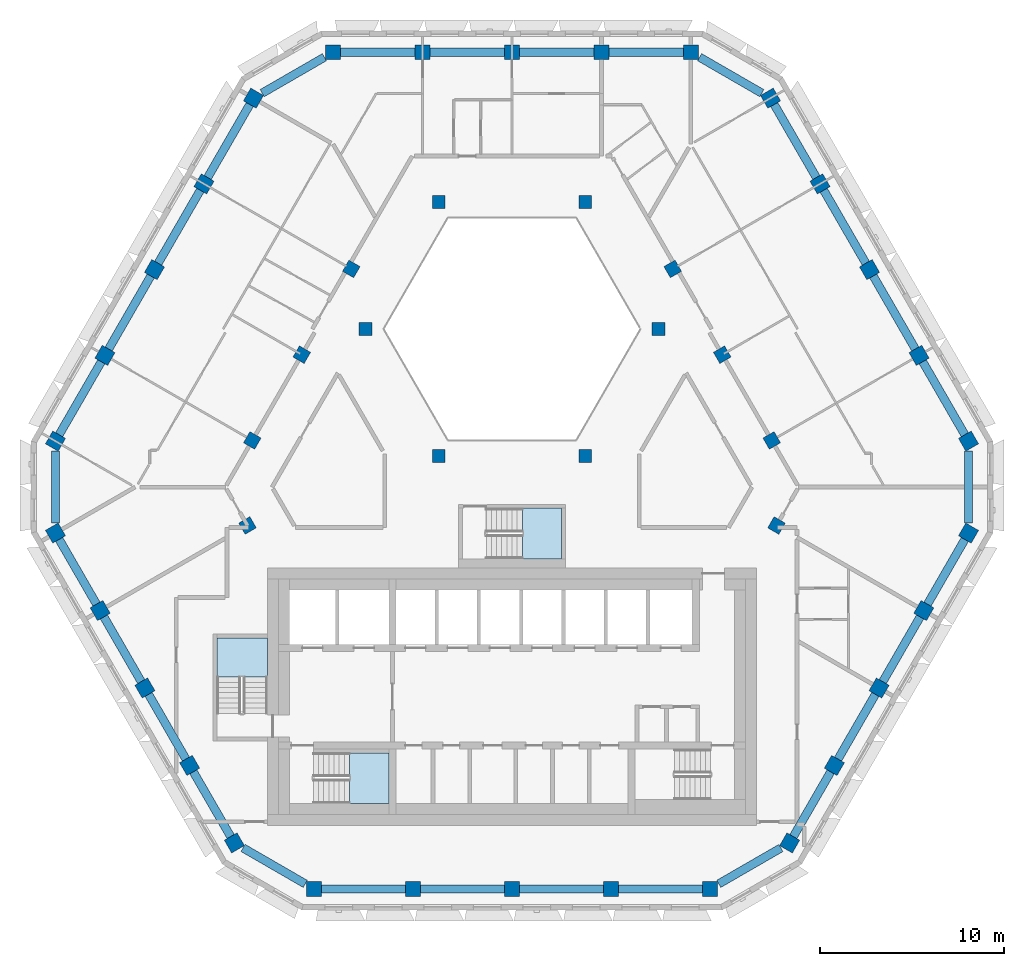
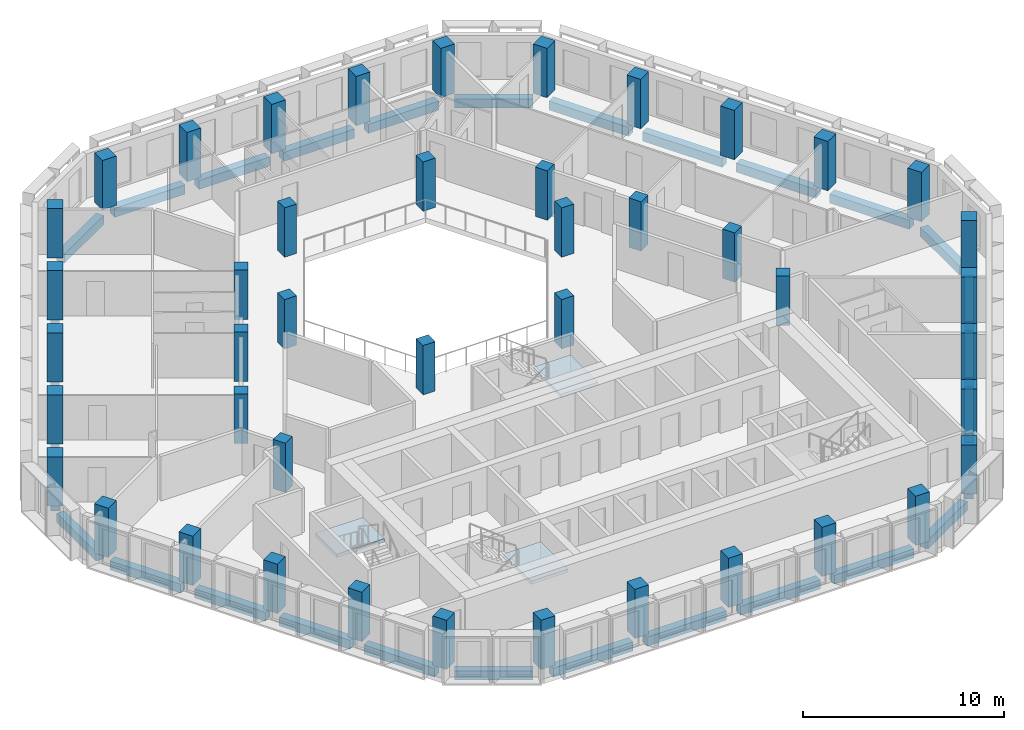
# One storey, part 1 of 17: 44 columns, 30 beams, 3 slabs, 3 elements without a shape of their own.
"""IFC4 building model written with IfcOpenShell, lengths in metres."""

from ifc_helpers import new_model, si_unit, direction, frame, origin, origin_2d, place, context, subcontext, project, spatial, polyline, rectangle, outline, extrude, material, layer, layer_set, material_profile, profile_set, type_object, element, aggregate, save


model = new_model("IFC4")

# Units and contexts
model_context = context("Model", 3, precision=1e-05, world=origin(), true_north=direction((0.0, 1.0)))
body_context = subcontext(model_context, "Body", "Model", "MODEL_VIEW")
ifc_project = project(units=[si_unit("LENGTHUNIT", "METRE"), si_unit("AREAUNIT", "SQUARE_METRE"), si_unit("VOLUMEUNIT", "CUBIC_METRE"), si_unit("PLANEANGLEUNIT", "RADIAN"), si_unit("MASSUNIT", "GRAM", prefix="KILO")], contexts=[model_context])

# Site, building, storey
site_placement = place(None, origin())
site = spatial("IfcSite", under=ifc_project, at=site_placement, CompositionType="ELEMENT")
building_placement = place(site_placement, origin())
building = spatial("IfcBuilding", under=site, at=building_placement, Name="Beryl Residences", CompositionType="ELEMENT")
storey_placement = place(building_placement, frame((0.0, 0.0, 172.199951171875)))
storey = spatial("IfcBuildingStorey", under=building, at=storey_placement, Name="L52", CompositionType="ELEMENT", Elevation=172.199951171875)

# Columns
ifc_material_1 = material(Name="Concrete C50/60", Category="concrete")
ifc_material_profile_1 = material_profile(ifc_material_1, rectangle(XDim=0.800048828125, YDim=0.800048828125, at=origin_2d()))
ifc_profile_set_1 = profile_set([ifc_material_profile_1], Name="Concrete C50/60")
column_type_1 = type_object("IfcColumnType", Name="C4 tube column 800 x 800 C50/60", PredefinedType="COLUMN", material=ifc_profile_set_1)
for number, where, z_axis, x_axis, name in (
    (1, (9.72802734375, 23.050048828125, 0.0), (0.0, 0.0, 1.0), (-1.0, 0.0, 0.0), "C4-N1 L52"),
    (2, (4.864013671875, 23.050048828125, 0.0), (0.0, 0.0, 1.0), (-1.0, 0.0, 0.0), "C4-N2 L52"),
    (3, (0.0, 23.050048828125, 0.0), (0.0, 0.0, 1.0), (-1.0, 0.0, 0.0), "C4-N3 L52"),
    (4, (-4.864013671875, 23.050048828125, 0.0), (0.0, 0.0, 1.0), (-1.0, 0.0, 0.0), "C4-N4 L52"),
    (5, (-9.72802734375, 23.050048828125, 0.0), (0.0, 0.0, 1.0), (-1.0, 0.0, 0.0), "C4-N5 L52"),
    (6, (-14.05810546875, 20.550048828125, 0.0), (0.0, 0.0, 1.0), (-0.5, -0.866025403784, 0.0), "C4-NW1 L52"),
    (7, (-16.75, 15.887939453125, 0.0), (0.0, 0.0, 1.0), (-0.5, -0.866025403784, 0.0), "C4-NW2 L52"),
    (8, (-19.44189453125, 11.22509765625, 0.0), (0.0, 0.0, 1.0), (-0.5, -0.866025403784, 0.0), "C4-NW3 L52"),
    (9, (-22.134033203125, 6.56201171875, 0.0), (0.0, 0.0, 1.0), (-0.5, -0.866025403784, 0.0), "C4-NW4 L52"),
    (10, (-24.825927734375, 1.89990234375, 0.0), (0.0, 0.0, 1.0), (-0.5, -0.866025403784, 0.0), "C4-NW5 L52"),
    (11, (-24.825927734375, -3.09912109375, 0.0), (0.0, 0.0, 1.0), (0.5, -0.866025403784, 0.0), "C4-SW1 L52"),
    (12, (-22.39404296875, -7.31201171875, 0.0), (0.0, 0.0, 1.0), (0.5, -0.866025403784, 0.0), "C4-SW2 L52"),
    (13, (-19.9619140625, -11.52392578125, 0.0), (0.0, 0.0, 1.0), (0.5, -0.866025403784, 0.0), "C4-SW3 L52"),
    (14, (-17.530029296875, -15.736083984375, 0.0), (0.0, 0.0, 1.0), (0.5, -0.866025403784, 0.0), "C4-SW4 L52"),
    (15, (-15.097900390625, -19.948974609375, 0.0), (0.0, 0.0, 1.0), (0.5, -0.866025403784, 0.0), "C4-SW5 L52"),
    (16, (-10.76708984375, -22.449951171875, 0.0), (0.0, 0.0, 1.0), (1.0, 0.0, 0.0), "C4-S1 L52"),
    (17, (-5.383056640625, -22.449951171875, 0.0), (0.0, 0.0, 1.0), (1.0, 0.0, 0.0), "C4-S2 L52"),
    (18, (0.0009765625, -22.449951171875, 0.0), (0.0, 0.0, 1.0), (1.0, 0.0, 0.0), "C4-S3 L52"),
    (19, (5.385009765625, -22.449951171875, 0.0), (0.0, 0.0, 1.0), (1.0, 0.0, 0.0), "C4-S4 L52"),
    (20, (10.76904296875, -22.449951171875, 0.0), (0.0, 0.0, 1.0), (1.0, 0.0, 0.0), "C4-S5 L52"),
    (21, (15.096923828125, -19.950927734375, 0.0), (0.0, 0.0, 1.0), (0.5, 0.866025403784, 0.0), "C4-SE1 L52"),
    (22, (17.529052734375, -15.738037109375, 0.0), (0.0, 0.0, 1.0), (0.5, 0.866025403784, 0.0), "C4-SE2 L52"),
    (23, (19.9609375, -11.52587890625, 0.0), (0.0, 0.0, 1.0), (0.5, 0.866025403784, 0.0), "C4-SE3 L52"),
    (24, (22.39306640625, -7.31396484375, 0.0), (0.0, 0.0, 1.0), (0.5, 0.866025403784, 0.0), "C4-SE4 L52"),
    (25, (24.824951171875, -3.10107421875, 0.0), (0.0, 0.0, 1.0), (0.5, 0.866025403784, 0.0), "C4-SE5 L52"),
    (26, (24.825927734375, 1.89990234375, 0.0), (0.0, 0.0, 1.0), (-0.5, 0.866025403784, 0.0), "C4-NE1 L52"),
    (27, (22.134033203125, 6.56201171875, 0.0), (0.0, 0.0, 1.0), (-0.5, 0.866025403784, 0.0), "C4-NE2 L52"),
    (28, (19.44189453125, 11.22509765625, 0.0), (0.0, 0.0, 1.0), (-0.5, 0.866025403784, 0.0), "C4-NE3 L52"),
    (29, (16.75, 15.887939453125, 0.0), (0.0, 0.0, 1.0), (-0.5, 0.866025403784, 0.0), "C4-NE4 L52"),
    (30, (14.05810546875, 20.550048828125, 0.0), (0.0, 0.0, 1.0), (-0.5, 0.866025403784, 0.0), "C4-NE5 L52"),
):
    element("IfcColumn", number, at=place(storey_placement, frame(where, z_axis=z_axis, x_axis=x_axis)), inside=storey, type_object=column_type_1, Name=name, PredefinedType="COLUMN", context=body_context, shape_type="SweptSolid", body=[
        extrude(rectangle(XDim=0.800048828125, YDim=0.800048828125, at=origin_2d()), origin(), (0.0, 0.0, 1.0), 3.0),
    ])
ifc_material_2 = material(Name="Concrete C50/60", Category="concrete")
ifc_material_profile_2 = material_profile(ifc_material_2, rectangle(XDim=0.699951171875, YDim=0.699951171875, at=origin_2d()))
ifc_profile_set_2 = profile_set([ifc_material_profile_2], Name="Concrete C50/60")
column_type_2 = type_object("IfcColumnType", Name="IC4 interior column 700 x 700 C50/60", PredefinedType="COLUMN", material=ifc_profile_set_2)
for number, where, z_axis, x_axis, name in (
    (31, (-14.383056640625, -2.68701171875, 0.0), (0.0, 0.0, 1.0), (0.5, -0.866025403784, 0.0), "IC4-M01 L52"),
    (32, (14.382080078125, -2.68896484375, 0.0), (0.0, 0.0, 1.0), (0.5, 0.866025403784, 0.0), "IC4-M02 L52"),
    (33, (14.123046875, 1.93701171875, 0.0), (0.0, 0.0, 1.0), (-0.5, 0.866025403784, 0.0), "IC4-M03 L52"),
    (34, (3.98388671875, 1.10009765625, 0.0), (0.0, 0.0, 1.0), (1.0, 0.0, 0.0), "IC4-A04 L52"),
    (35, (11.430908203125, 6.60009765625, 0.0), (0.0, 0.0, 1.0), (-0.5, 0.866025403784, 0.0), "IC4-M05 L52"),
    (36, (7.967041015625, 8.0, 0.0), (0.0, 0.0, 1.0), (1.0, 0.0, 0.0), "IC4-A06 L52"),
    (37, (8.739013671875, 11.262939453125, 0.0), (0.0, 0.0, 1.0), (-0.5, 0.866025403784, 0.0), "IC4-M07 L52"),
    (38, (3.98388671875, 14.89990234375, 0.0), (0.0, 0.0, 1.0), (1.0, 0.0, 0.0), "IC4-A08 L52"),
    (39, (-3.98388671875, 14.89990234375, 0.0), (0.0, 0.0, 1.0), (1.0, 0.0, 0.0), "IC4-A09 L52"),
    (40, (-8.739013671875, 11.262939453125, 0.0), (0.0, 0.0, 1.0), (-0.5, -0.866025403784, 0.0), "IC4-M10 L52"),
    (41, (-7.967041015625, 8.0, 0.0), (0.0, 0.0, 1.0), (1.0, 0.0, 0.0), "IC4-A11 L52"),
    (42, (-11.430908203125, 6.60009765625, 0.0), (0.0, 0.0, 1.0), (-0.5, -0.866025403784, 0.0), "IC4-M12 L52"),
    (43, (-3.98388671875, 1.10009765625, 0.0), (0.0, 0.0, 1.0), (1.0, 0.0, 0.0), "IC4-A13 L52"),
    (44, (-14.123046875, 1.93701171875, 0.0), (0.0, 0.0, 1.0), (-0.5, -0.866025403784, 0.0), "IC4-M14 L52"),
):
    element("IfcColumn", number, at=place(storey_placement, frame(where, z_axis=z_axis, x_axis=x_axis)), inside=storey, type_object=column_type_2, Name=name, PredefinedType="COLUMN", context=body_context, shape_type="SweptSolid", body=[
        extrude(rectangle(XDim=0.699951171875, YDim=0.699951171875, at=origin_2d()), origin(), (0.0, 0.0, 1.0), 3.0),
    ])

# Beams
ifc_material_3 = material(Name="Concrete C50/60", Category="concrete")
ifc_material_profile_3 = material_profile(ifc_material_3, rectangle(XDim=0.449951171875, YDim=0.550048828125, at=origin_2d()))
ifc_profile_set_3 = profile_set([ifc_material_profile_3], Name="Concrete C50/60")
beam_type = type_object("IfcBeamType", Name="SB4 spandrel beam 450 x 550 C50/60", PredefinedType="SPANDREL", material=ifc_profile_set_3)
beam_1_placement = place(storey_placement, frame((9.327880859375, 23.050048828125, -0.574951171875), z_axis=(-1.0, 0.0, 0.0), x_axis=(0.0, -1.0, 0.0)))
element("IfcBeam", 45, at=beam_1_placement, inside=storey, type_object=beam_type, Name="SB4 L52 N-0", PredefinedType="SPANDREL", context=body_context, shape_type="SweptSolid", body=[
    extrude(rectangle(XDim=0.449951171875, YDim=0.550048828125, at=origin_2d()), origin(), (0.0, 0.0, 1.0), 4.06396484375),
])
for number, where, z_axis, x_axis, name in (
    (46, (4.464111328125, 23.050048828125, -0.574951171875), (-1.0, 0.0, 0.0), (0.0, -1.0, 0.0), "SB4 L52 N-1"),
    (47, (-0.39990234375, 23.050048828125, -0.574951171875), (-1.0, 0.0, 0.0), (0.0, -1.0, 0.0), "SB4 L52 N-2"),
):
    element("IfcBeam", number, at=place(storey_placement, frame(where, z_axis=z_axis, x_axis=x_axis)), inside=storey, type_object=beam_type, Name=name, PredefinedType="SPANDREL", context=body_context, shape_type="SweptSolid", body=[
        extrude(rectangle(XDim=0.449951171875, YDim=0.550048828125, at=origin_2d()), origin(), (0.0, 0.0, 1.0), 4.064208984375),
    ])
beam_2_placement = place(storey_placement, frame((-5.263916015625, 23.050048828125, -0.574951171875), z_axis=(-1.0, 0.0, 0.0), x_axis=(0.0, -1.0, 0.0)))
element("IfcBeam", 48, at=beam_2_placement, inside=storey, type_object=beam_type, Name="SB4 L52 N-3", PredefinedType="SPANDREL", context=body_context, shape_type="SweptSolid", body=[
    extrude(rectangle(XDim=0.449951171875, YDim=0.550048828125, at=origin_2d()), origin(), (0.0, 0.0, 1.0), 4.06396484375),
])
beam_3_placement = place(storey_placement, frame((-10.200927734375, 22.777099609375, -0.574951171875), z_axis=(-0.865988935984, -0.500063158763, 0.0), x_axis=(0.500063158763, -0.865988935984, 0.0)))
element("IfcBeam", 49, at=beam_3_placement, inside=storey, type_object=beam_type, Name="SB4 L52 N-4", PredefinedType="SPANDREL", context=body_context, shape_type="SweptSolid", body=[
    extrude(rectangle(XDim=0.449951171875, YDim=0.550048828125, at=origin_2d()), origin(), (0.0, 0.0, 1.0), 3.90771484375),
])
beam_4_placement = place(storey_placement, frame((-14.258056640625, 20.2041015625, -0.574951171875), z_axis=(-0.499965247104, -0.866045467449, 0.0), x_axis=(0.866045467449, -0.499965247104, 0.0)))
element("IfcBeam", 50, at=beam_4_placement, inside=storey, type_object=beam_type, Name="SB4 L52 NW-0", PredefinedType="SPANDREL", context=body_context, shape_type="SweptSolid", body=[
    extrude(rectangle(XDim=0.449951171875, YDim=0.550048828125, at=origin_2d()), origin(), (0.0, 0.0, 1.0), 4.584228515625),
])
for number, where, z_axis, x_axis, name in (
    (51, (-16.949951171875, 15.5419921875, -0.574951171875), (-0.499896077001, -0.866085395443, 0.0), (0.866085395443, -0.499896077001, 0.0), "SB4 L52 NW-1"),
    (52, (-19.64208984375, 10.87890625, -0.574951171875), (-0.499896077001, -0.866085395443, 0.0), (0.866085395443, -0.499896077001, 0.0), "SB4 L52 NW-2"),
):
    element("IfcBeam", number, at=place(storey_placement, frame(where, z_axis=z_axis, x_axis=x_axis)), inside=storey, type_object=beam_type, Name=name, PredefinedType="SPANDREL", context=body_context, shape_type="SweptSolid", body=[
        extrude(rectangle(XDim=0.449951171875, YDim=0.550048828125, at=origin_2d()), origin(), (0.0, 0.0, 1.0), 4.5849609375),
    ])
beam_5_placement = place(storey_placement, frame((-22.333984375, 6.216064453125, -0.574951171875), z_axis=(-0.49998830735, -0.866032154434, 0.0), x_axis=(0.866032154434, -0.49998830735, 0.0)))
element("IfcBeam", 53, at=beam_5_placement, inside=storey, type_object=beam_type, Name="SB4 L52 NW-3", PredefinedType="SPANDREL", context=body_context, shape_type="SweptSolid", body=[
    extrude(rectangle(XDim=0.449951171875, YDim=0.550048828125, at=origin_2d()), origin(), (0.0, 0.0, 1.0), 4.583984375),
])
beam_6_placement = place(storey_placement, frame((-24.825927734375, 1.35400390625, -0.574951171875), z_axis=(0.0, -1.0, 0.0), x_axis=(1.0, 0.0, 0.0)))
element("IfcBeam", 54, at=beam_6_placement, inside=storey, type_object=beam_type, Name="SB4 L52 NW-4", PredefinedType="SPANDREL", context=body_context, shape_type="SweptSolid", body=[
    extrude(rectangle(XDim=0.449951171875, YDim=0.550048828125, at=origin_2d()), origin(), (0.0, 0.0, 1.0), 3.906982421875),
])
beam_7_placement = place(storey_placement, frame((-24.6259765625, -3.445068359375, -0.574951171875), z_axis=(0.499840293234, -0.866117590896, 0.0), x_axis=(0.866117590896, 0.499840293234, 0.0)))
element("IfcBeam", 55, at=beam_7_placement, inside=storey, type_object=beam_type, Name="SB4 L52 SW-0", PredefinedType="SPANDREL", context=body_context, shape_type="SweptSolid", body=[
    extrude(rectangle(XDim=0.449951171875, YDim=0.550048828125, at=origin_2d()), origin(), (0.0, 0.0, 1.0), 4.065185546875),
])
beam_8_placement = place(storey_placement, frame((-22.194091796875, -7.657958984375, -0.574951171875), z_axis=(0.499944307952, -0.866057555216, 0.0), x_axis=(0.866057555216, 0.499944307952, 0.0)))
element("IfcBeam", 56, at=beam_8_placement, inside=storey, type_object=beam_type, Name="SB4 L52 SW-1", PredefinedType="SPANDREL", context=body_context, shape_type="SweptSolid", body=[
    extrude(rectangle(XDim=0.449951171875, YDim=0.550048828125, at=origin_2d()), origin(), (0.0, 0.0, 1.0), 4.064453125),
])
beam_9_placement = place(storey_placement, frame((-19.761962890625, -11.8701171875, -0.574951171875), z_axis=(0.499970317269, -0.866042540439, 0.0), x_axis=(0.866042540439, 0.499970317269, 0.0)))
element("IfcBeam", 57, at=beam_9_placement, inside=storey, type_object=beam_type, Name="SB4 L52 SW-2", PredefinedType="SPANDREL", context=body_context, shape_type="SweptSolid", body=[
    extrude(rectangle(XDim=0.449951171875, YDim=0.550048828125, at=origin_2d()), origin(), (0.0, 0.0, 1.0), 4.064208984375),
])
beam_10_placement = place(storey_placement, frame((-17.330078125, -16.08203125, -0.574951171875), z_axis=(0.499840293234, -0.866117590896, 0.0), x_axis=(0.866117590896, 0.499840293234, 0.0)))
element("IfcBeam", 58, at=beam_10_placement, inside=storey, type_object=beam_type, Name="SB4 L52 SW-3", PredefinedType="SPANDREL", context=body_context, shape_type="SweptSolid", body=[
    extrude(rectangle(XDim=0.449951171875, YDim=0.550048828125, at=origin_2d()), origin(), (0.0, 0.0, 1.0), 4.065185546875),
])
beam_11_placement = place(storey_placement, frame((-14.625, -20.221923828125, -0.574951171875), z_axis=(0.865943218558, -0.500142321977, 0.0), x_axis=(0.500142321977, 0.865943218558, 0.0)))
element("IfcBeam", 59, at=beam_11_placement, inside=storey, type_object=beam_type, Name="SB4 L52 SW-4", PredefinedType="SPANDREL", context=body_context, shape_type="SweptSolid", body=[
    extrude(rectangle(XDim=0.449951171875, YDim=0.550048828125, at=origin_2d()), origin(), (0.0, 0.0, 1.0), 3.908935546875),
])
for number, where, z_axis, x_axis, name in (
    (60, (-10.366943359375, -22.449951171875, -0.574951171875), (1.0, 0.0, 0.0), (0.0, 1.0, 0.0), "SB4 L52 S-0"),
    (61, (-4.98291015625, -22.449951171875, -0.574951171875), (1.0, 0.0, 0.0), (0.0, 1.0, 0.0), "SB4 L52 S-1"),
):
    element("IfcBeam", number, at=place(storey_placement, frame(where, z_axis=z_axis, x_axis=x_axis)), inside=storey, type_object=beam_type, Name=name, PredefinedType="SPANDREL", context=body_context, shape_type="SweptSolid", body=[
        extrude(rectangle(XDim=0.449951171875, YDim=0.550048828125, at=origin_2d()), origin(), (0.0, 0.0, 1.0), 4.583984375),
    ])
beam_12_placement = place(storey_placement, frame((0.40087890625, -22.449951171875, -0.574951171875), z_axis=(1.0, 0.0, 0.0), x_axis=(0.0, 1.0, 0.0)))
element("IfcBeam", 62, at=beam_12_placement, inside=storey, type_object=beam_type, Name="SB4 L52 S-2", PredefinedType="SPANDREL", context=body_context, shape_type="SweptSolid", body=[
    extrude(rectangle(XDim=0.449951171875, YDim=0.550048828125, at=origin_2d()), origin(), (0.0, 0.0, 1.0), 4.584228515625),
])
beam_13_placement = place(storey_placement, frame((5.784912109375, -22.449951171875, -0.574951171875), z_axis=(1.0, 0.0, 0.0), x_axis=(0.0, 1.0, 0.0)))
element("IfcBeam", 63, at=beam_13_placement, inside=storey, type_object=beam_type, Name="SB4 L52 S-3", PredefinedType="SPANDREL", context=body_context, shape_type="SweptSolid", body=[
    extrude(rectangle(XDim=0.449951171875, YDim=0.550048828125, at=origin_2d()), origin(), (0.0, 0.0, 1.0), 4.583984375),
])
beam_14_placement = place(storey_placement, frame((11.241943359375, -22.177001953125, -0.574951171875), z_axis=(0.865999234303, 0.500045324131, 0.0), x_axis=(-0.500045324131, 0.865999234303, 0.0)))
element("IfcBeam", 64, at=beam_14_placement, inside=storey, type_object=beam_type, Name="SB4 L52 S-4", PredefinedType="SPANDREL", context=body_context, shape_type="SweptSolid", body=[
    extrude(rectangle(XDim=0.449951171875, YDim=0.550048828125, at=origin_2d()), origin(), (0.0, 0.0, 1.0), 3.905517578125),
])
beam_15_placement = place(storey_placement, frame((15.297119140625, -19.60498046875, -0.574951171875), z_axis=(0.499840293234, 0.866117590896, 0.0), x_axis=(-0.866117590896, 0.499840293234, 0.0)))
element("IfcBeam", 65, at=beam_15_placement, inside=storey, type_object=beam_type, Name="SB4 L52 SE-0", PredefinedType="SPANDREL", context=body_context, shape_type="SweptSolid", body=[
    extrude(rectangle(XDim=0.449951171875, YDim=0.550048828125, at=origin_2d()), origin(), (0.0, 0.0, 1.0), 4.065185546875),
])
for number, where, z_axis, x_axis, name in (
    (66, (17.72900390625, -15.39208984375, -0.574951171875), (0.499944307952, 0.866057555216, 0.0), (-0.866057555216, 0.499944307952, 0.0), "SB4 L52 SE-1"),
    (67, (20.160888671875, -11.179931640625, -0.574951171875), (0.499989360119, 0.866031546636, 0.0), (-0.866031546636, 0.499989360119, 0.0), "SB4 L52 SE-2"),
):
    element("IfcBeam", number, at=place(storey_placement, frame(where, z_axis=z_axis, x_axis=x_axis)), inside=storey, type_object=beam_type, Name=name, PredefinedType="SPANDREL", context=body_context, shape_type="SweptSolid", body=[
        extrude(rectangle(XDim=0.449951171875, YDim=0.550048828125, at=origin_2d()), origin(), (0.0, 0.0, 1.0), 4.064453125),
    ])
beam_16_placement = place(storey_placement, frame((22.593017578125, -6.968017578125, -0.574951171875), z_axis=(0.499840293234, 0.866117590896, 0.0), x_axis=(-0.866117590896, 0.499840293234, 0.0)))
element("IfcBeam", 68, at=beam_16_placement, inside=storey, type_object=beam_type, Name="SB4 L52 SE-3", PredefinedType="SPANDREL", context=body_context, shape_type="SweptSolid", body=[
    extrude(rectangle(XDim=0.449951171875, YDim=0.550048828125, at=origin_2d()), origin(), (0.0, 0.0, 1.0), 4.065185546875),
])
beam_17_placement = place(storey_placement, frame((24.824951171875, -2.554931640625, -0.574951171875), z_axis=(0.000249828235, 0.999999968793, 0.0), x_axis=(-0.999999968793, 0.000249828235, 0.0)))
element("IfcBeam", 69, at=beam_17_placement, inside=storey, type_object=beam_type, Name="SB4 L52 SE-4", PredefinedType="SPANDREL", context=body_context, shape_type="SweptSolid", body=[
    extrude(rectangle(XDim=0.449951171875, YDim=0.550048828125, at=origin_2d()), origin(), (0.0, 0.0, 1.0), 3.908935546875),
])
beam_18_placement = place(storey_placement, frame((24.6259765625, 2.24609375, -0.574951171875), z_axis=(-0.49998830735, 0.866032154434, 0.0), x_axis=(-0.866032154434, -0.49998830735, 0.0)))
element("IfcBeam", 70, at=beam_18_placement, inside=storey, type_object=beam_type, Name="SB4 L52 NE-0", PredefinedType="SPANDREL", context=body_context, shape_type="SweptSolid", body=[
    extrude(rectangle(XDim=0.449951171875, YDim=0.550048828125, at=origin_2d()), origin(), (0.0, 0.0, 1.0), 4.583984375),
])
for number, where, z_axis, x_axis, name in (
    (71, (21.93408203125, 6.907958984375, -0.574951171875), (-0.499896077001, 0.866085395443, 0.0), (-0.866085395443, -0.499896077001, 0.0), "SB4 L52 NE-1"),
    (72, (19.241943359375, 11.571044921875, -0.574951171875), (-0.499896077001, 0.866085395443, 0.0), (-0.866085395443, -0.499896077001, 0.0), "SB4 L52 NE-2"),
):
    element("IfcBeam", number, at=place(storey_placement, frame(where, z_axis=z_axis, x_axis=x_axis)), inside=storey, type_object=beam_type, Name=name, PredefinedType="SPANDREL", context=body_context, shape_type="SweptSolid", body=[
        extrude(rectangle(XDim=0.449951171875, YDim=0.550048828125, at=origin_2d()), origin(), (0.0, 0.0, 1.0), 4.5849609375),
    ])
beam_19_placement = place(storey_placement, frame((16.550048828125, 16.23388671875, -0.574951171875), z_axis=(-0.499965247104, 0.866045467449, 0.0), x_axis=(-0.866045467449, -0.499965247104, 0.0)))
element("IfcBeam", 73, at=beam_19_placement, inside=storey, type_object=beam_type, Name="SB4 L52 NE-3", PredefinedType="SPANDREL", context=body_context, shape_type="SweptSolid", body=[
    extrude(rectangle(XDim=0.449951171875, YDim=0.550048828125, at=origin_2d()), origin(), (0.0, 0.0, 1.0), 4.584228515625),
])
beam_20_placement = place(storey_placement, frame((13.5849609375, 20.822998046875, -0.574951171875), z_axis=(-0.865988935984, 0.500063158763, 0.0), x_axis=(-0.500063158763, -0.865988935984, 0.0)))
element("IfcBeam", 74, at=beam_20_placement, inside=storey, type_object=beam_type, Name="SB4 L52 NE-4", PredefinedType="SPANDREL", context=body_context, shape_type="SweptSolid", body=[
    extrude(rectangle(XDim=0.449951171875, YDim=0.550048828125, at=origin_2d()), origin(), (0.0, 0.0, 1.0), 3.90771484375),
])

# Stair, slab
ifc_material_4 = material(Name="Concrete C40/50", Category="concrete")
stair_type = type_object("IfcStairType", Name="ST1 protected exit stair, half-turn, 1300 mm flights", PredefinedType="HALF_TURN_STAIR", material=ifc_material_4)
stair_1_placement = place(storey_placement, origin())
stair_1 = element("IfcStair", 75, at=stair_1_placement, inside=storey, type_object=stair_type, Name="L52 PROTECTED EXIT STAIR ST-1", PredefinedType="HALF_TURN_STAIR")
ifc_material_5 = material(Name="Concrete C40/50", Category="concrete")
ifc_layer = layer(ifc_material_5, 0.199951171875)
ifc_layer_set = layer_set([ifc_layer], Name="SLD1 stair landing 200 mm")
slab_type = type_object("IfcSlabType", Name="SLD1 stair landing 200 mm", PredefinedType="LANDING", material=ifc_layer_set)
slab_1_placement = place(storey_placement, frame((0.0, 0.0, 1.300048828125)))
slab_1 = element("IfcSlab", 76, at=slab_1_placement, type_object=slab_type, Name="ST-1 landing 1", PredefinedType="LANDING", context=body_context, shape_type="SweptSolid", body=[
    extrude(outline(polyline([(-8.840087890625, -17.800048828125), (-6.699951171875, -17.800048828125), (-6.699951171875, -15.050048828125), (-8.840087890625, -15.050048828125), (-8.840087890625, -17.800048828125)])), origin(), (0.0, 0.0, 1.0), 0.199951171875),
])
aggregate(stair_1, [slab_1])

stair_2_placement = place(storey_placement, origin())
stair_2 = element("IfcStair", 77, at=stair_2_placement, inside=storey, type_object=stair_type, Name="L52 PROTECTED EXIT STAIR ST-2", PredefinedType="HALF_TURN_STAIR")
slab_2_placement = place(storey_placement, frame((0.0, 0.0, 1.300048828125)))
slab_2 = element("IfcSlab", 78, at=slab_2_placement, type_object=slab_type, Name="ST-2 landing 1", PredefinedType="LANDING", context=body_context, shape_type="SweptSolid", body=[
    extrude(outline(polyline([(-13.300048828125, -10.93994140625), (-13.300048828125, -8.800048828125), (-16.050048828125, -8.800048828125), (-16.050048828125, -10.93994140625), (-13.300048828125, -10.93994140625)])), origin(), (0.0, 0.0, 1.0), 0.199951171875),
])
aggregate(stair_2, [slab_2])

stair_3_placement = place(storey_placement, origin())
stair_3 = element("IfcStair", 79, at=stair_3_placement, inside=storey, type_object=stair_type, Name="L52 PROTECTED EXIT STAIR ST-4", PredefinedType="HALF_TURN_STAIR")
slab_3_placement = place(storey_placement, frame((0.0, 0.0, 1.300048828125)))
slab_3 = element("IfcSlab", 80, at=slab_3_placement, type_object=slab_type, Name="ST-4 landing 1", PredefinedType="LANDING", context=body_context, shape_type="SweptSolid", body=[
    extrude(outline(polyline([(0.56005859375, -4.5), (2.699951171875, -4.5), (2.699951171875, -1.75), (0.56005859375, -1.75), (0.56005859375, -4.5)])), origin(), (0.0, 0.0, 1.0), 0.199951171875),
])
aggregate(stair_3, [slab_3])

save(model, "model.ifc")
